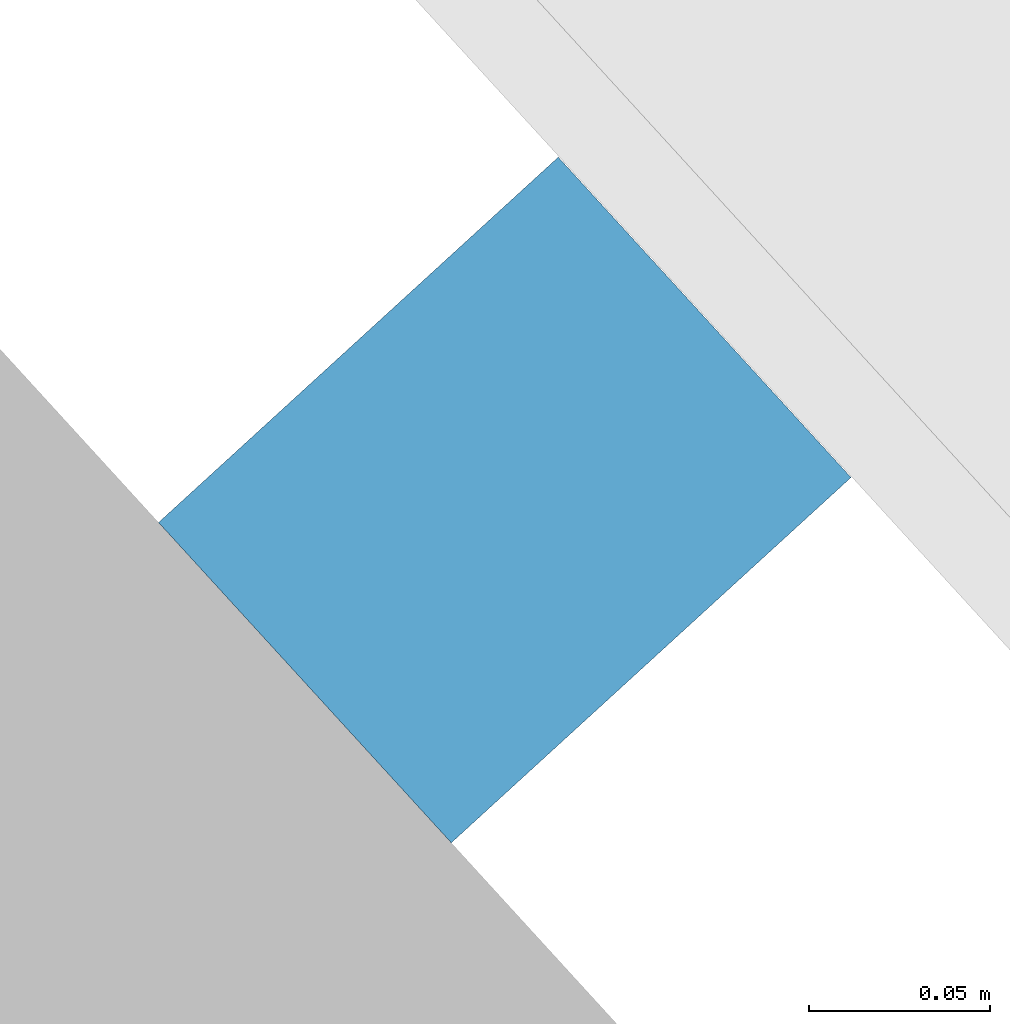
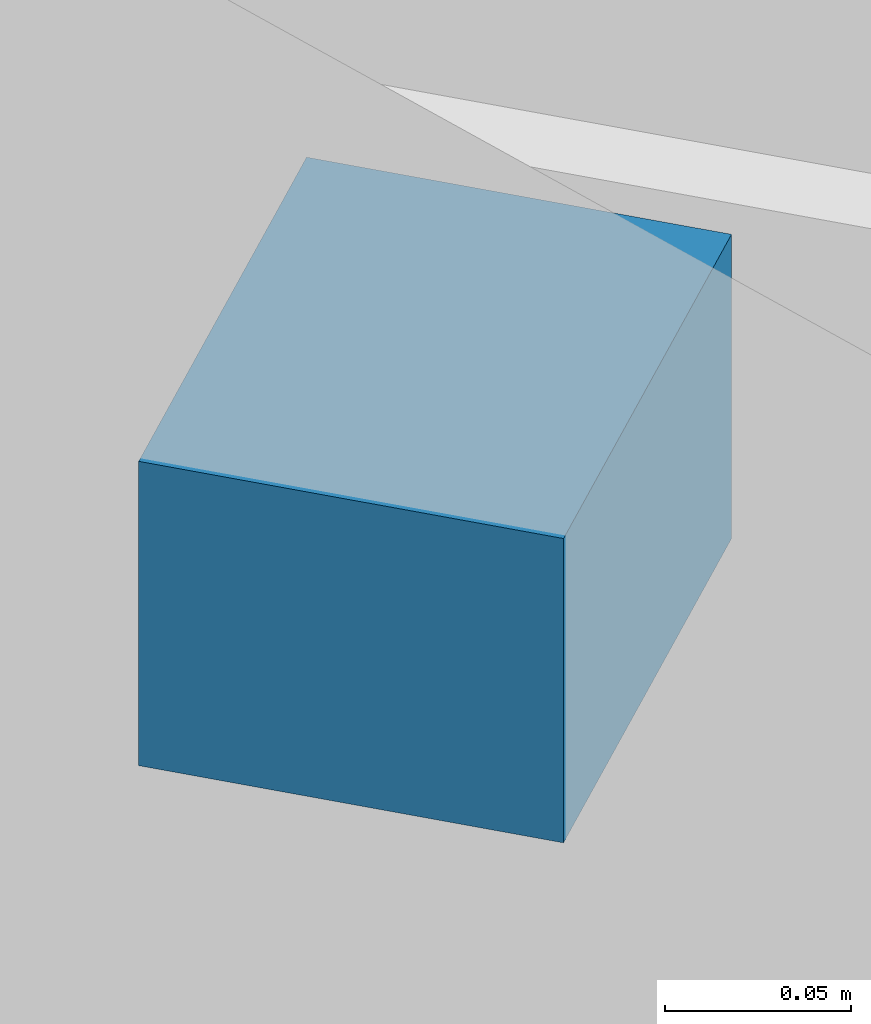
# One storey, part 27 of 38: 1 discrete accessory, 1 element without a shape of its own.
"""IFC4 building model written with IfcOpenShell, lengths in metres."""

import ifcopenshell
import ifcopenshell.guid

model = None  # the IFC model being written
_history = None  # IfcOwnerHistory: only IFC2X3 demands one
_inside = {}  # id of a spatial element -> (the spatial element, [elements in it])
_under = {}  # id of a project, library or spatial element -> (it, [spatial elements below it])
_declared = {}  # id of a project -> (the project, [libraries it declares])
_typed = {}  # id of a type object -> (the type object, [elements of that type])
_made_of = {}  # id of a material, layer set ... -> (it, [elements and type objects made of it])


def new_model(schema):
    """Start an empty IFC model of exactly this schema.

    Asked for "IFC4X3", IfcOpenShell would pick the latest addendum, in which some entities
    have other attributes; the version numbers below select the first issue.
    IFC2X3 requires an IfcOwnerHistory on every rooted entity: one is made here for all.
    """
    global model, _history
    if schema == "IFC4X3":
        model = ifcopenshell.file(schema_version=(4, 3, 0, 0))
    else:
        model = ifcopenshell.file(schema=schema)
    _inside.clear()
    _under.clear()
    _declared.clear()
    _typed.clear()
    _made_of.clear()
    _history = None
    if model.schema == "IFC2X3":
        org = make("IfcOrganization", Name="unknown")
        user = make(
            "IfcPersonAndOrganization",
            ThePerson=make("IfcPerson", FamilyName="unknown"),
            TheOrganization=org,
        )
        app = make(
            "IfcApplication",
            ApplicationDeveloper=org,
            Version="unknown",
            ApplicationFullName="unknown",
            ApplicationIdentifier="unknown",
        )
        _history = make(
            "IfcOwnerHistory",
            OwningUser=user,
            OwningApplication=app,
            ChangeAction="ADDED",
            CreationDate=0,
        )
    return model


def make(cls, **values):
    """One entity of the class cls with the attributes given. An attribute that is None is left unset."""
    return model.create_entity(
        cls, **{name: value for name, value in values.items() if value is not None}
    )


def rooted(cls, **values):
    """An entity with a GlobalId (a new one), such as an element, a storey or a relation."""
    return make(cls, GlobalId=ifcopenshell.guid.new(), OwnerHistory=_history, **values)


def si_unit(unit_type, name, prefix=None):
    """IfcSIUnit, for example si_unit("LENGTHUNIT", "METRE", prefix="MILLI")."""
    return make("IfcSIUnit", UnitType=unit_type, Prefix=prefix, Name=name)


def assignment(units):
    """IfcUnitAssignment: the units of a project."""
    return None if units is None else make("IfcUnitAssignment", Units=units)


def point(xyz):
    """IfcCartesianPoint."""
    return None if xyz is None else make("IfcCartesianPoint", Coordinates=xyz)


def direction(xyz):
    """IfcDirection."""
    return None if xyz is None else make("IfcDirection", DirectionRatios=xyz)


def frame(location, z_axis=None, x_axis=None):
    """IfcAxis2Placement3D, a coordinate frame: its origin and axes. An axis left out is left unset."""
    return make(
        "IfcAxis2Placement3D",
        Location=point(location),
        Axis=direction(z_axis),
        RefDirection=direction(x_axis),
    )


def frame_2d(location, x_axis=None):
    """IfcAxis2Placement2D, a coordinate frame in the plane: its origin and x axis."""
    return make(
        "IfcAxis2Placement2D", Location=point(location), RefDirection=direction(x_axis)
    )


def origin():
    """The frame at (0, 0, 0) with its axes left unset."""
    return frame((0.0, 0.0, 0.0))


def origin_2d():
    """The frame at (0, 0) in the plane with its x axis left unset."""
    return frame_2d((0.0, 0.0))


def place(relative_to, where):
    """IfcLocalPlacement: puts the frame where relative to a parent placement (None: the world)."""
    return make(
        "IfcLocalPlacement", PlacementRelTo=relative_to, RelativePlacement=where
    )


def context(
    kind, dimensions, precision=None, world=None, true_north=None, identifier=None
):
    """IfcGeometricRepresentationContext, for example the 3D "Model" context."""
    return make(
        "IfcGeometricRepresentationContext",
        ContextIdentifier=identifier,
        ContextType=kind,
        CoordinateSpaceDimension=dimensions,
        Precision=precision,
        WorldCoordinateSystem=world,
        TrueNorth=true_north,
    )


def subcontext(parent, identifier, kind, view, scale=None):
    """IfcGeometricRepresentationSubContext, for example "Body" below "Model"."""
    return make(
        "IfcGeometricRepresentationSubContext",
        ContextIdentifier=identifier,
        ContextType=kind,
        ParentContext=parent,
        TargetScale=scale,
        TargetView=view,
    )


def project(units=None, contexts=None):
    """IfcProject with its units and contexts."""
    return rooted(
        "IfcProject",
        Name="project",
        RepresentationContexts=contexts,
        UnitsInContext=assignment(units),
    )


def spatial(cls, under=None, at=None, **own):
    """A site, building, storey or space (cls), placed at a placement, below another one or the project."""
    s = rooted(cls, ObjectPlacement=at, **own)
    if under is not None:
        _under.setdefault(under.id(), (under, []))[1].append(s)
    return s


def profile(cls, at=None, kind="AREA", **sizes):
    """A parametric profile (cls). Its sizes go by their IFC names, for example OverallWidth=200.0."""
    return make(cls, ProfileType=kind, Position=at, **sizes)


def rectangle(**sizes):
    """IfcRectangleProfileDef."""
    return profile("IfcRectangleProfileDef", **sizes)


def extrude(swept, where, along, depth):
    """IfcExtrudedAreaSolid: the profile swept, set in the frame where, extruded along a direction by depth."""
    return make(
        "IfcExtrudedAreaSolid",
        SweptArea=swept,
        Position=where,
        ExtrudedDirection=direction(along),
        Depth=depth,
    )


def shape(context_of_items, identifier, shape_type, items):
    """IfcShapeRepresentation: the items that make up one representation, for example the "Body"."""
    return make(
        "IfcShapeRepresentation",
        ContextOfItems=context_of_items,
        RepresentationIdentifier=identifier,
        RepresentationType=shape_type,
        Items=items,
    )


def material(Name=None, Category=None):
    """IfcMaterial."""
    return make("IfcMaterial", Name=Name, Category=Category)


def layer(
    of_material, thickness, ventilated=None, Name=None, Category=None, Priority=None
):
    """IfcMaterialLayer: one layer of a wall or slab, of a material (None: an air gap)."""
    return make(
        "IfcMaterialLayer",
        Material=of_material,
        LayerThickness=thickness,
        IsVentilated=ventilated,
        Name=Name,
        Category=Category,
        Priority=Priority,
    )


def layer_set(layers, Name=None):
    """IfcMaterialLayerSet."""
    return make("IfcMaterialLayerSet", MaterialLayers=layers, LayerSetName=Name)


def made_of(thing, what):
    """Note that an element or type object is made of a material, layer set ...; save() writes the relation."""
    if what is not None:
        _made_of.setdefault(what.id(), (what, []))[1].append(thing)
    return thing


def type_object(cls, material=None, **own):
    """A type object (cls), such as IfcWallType, which elements share."""
    return made_of(rooted(cls, **own), material)


def element(
    cls,
    number,
    at=None,
    inside=None,
    cuts=None,
    type_object=None,
    material=None,
    context=None,
    identifier="Body",
    shape_type=None,
    held_by="IfcProductDefinitionShape",
    body=None,
    shapes=None,
    **own,
):
    """One element of the class cls, such as IfcWall. Its Tag is "e" and its number.

    at: its placement. inside: the storey or other place that contains it. cuts: it is an
    opening in that element (IfcRelVoidsElement). A single representation is given by context,
    identifier, shape_type and body (its items); several are given by shapes. held_by: the class
    of the entity that holds the representations. save() writes the other relations.
    """
    e = rooted(cls, Tag="e%d" % number, ObjectPlacement=at, **own)
    if body is not None:
        shapes = [shape(context, identifier, shape_type, body)]
    if shapes is not None:
        e.Representation = make(held_by, Representations=shapes)
    if inside is not None:
        _inside.setdefault(inside.id(), (inside, []))[1].append(e)
    if cuts is not None:
        rooted(
            "IfcRelVoidsElement", RelatingBuildingElement=cuts, RelatedOpeningElement=e
        )
    if type_object is not None:
        _typed.setdefault(type_object.id(), (type_object, []))[1].append(e)
    return made_of(e, material)


def aggregate(whole, parts):
    """IfcRelAggregates: a whole, such as a stair, and the parts it consists of."""
    return rooted("IfcRelAggregates", RelatingObject=whole, RelatedObjects=parts)


def save(model, path):
    """Write the relations noted so far, then the file.

    IfcRelAggregates (storeys below a building ...), IfcRelContainedInSpatialStructure (elements
    in a storey), IfcRelDefinesByType, IfcRelAssociatesMaterial and IfcRelDeclares: one each for
    every whole, place, type object, material and project.
    """
    for whole, parts in _under.values():
        aggregate(whole, parts)
    for where, things in _inside.values():
        rooted(
            "IfcRelContainedInSpatialStructure",
            RelatedElements=things,
            RelatingStructure=where,
        )
    for kind, things in _typed.values():
        rooted("IfcRelDefinesByType", RelatedObjects=things, RelatingType=kind)
    for what, things in _made_of.values():
        rooted("IfcRelAssociatesMaterial", RelatedObjects=things, RelatingMaterial=what)
    for by, libraries in _declared.values():
        rooted("IfcRelDeclares", RelatingContext=by, RelatedDefinitions=libraries)
    model.write(path)


model = new_model("IFC4")

# Units and contexts
model_context = context("Model", 3, precision=1e-05, world=origin(), true_north=direction((0.0, 1.0)))
body_context = subcontext(model_context, "Body", "Model", "MODEL_VIEW")
ifc_project = project(units=[si_unit("LENGTHUNIT", "METRE"), si_unit("AREAUNIT", "SQUARE_METRE"), si_unit("VOLUMEUNIT", "CUBIC_METRE"), si_unit("PLANEANGLEUNIT", "RADIAN"), si_unit("MASSUNIT", "GRAM", prefix="KILO")], contexts=[model_context])

# Site, building, storey
site_placement = place(None, origin())
site = spatial("IfcSite", under=ifc_project, at=site_placement, CompositionType="ELEMENT")
building_placement = place(site_placement, origin())
building = spatial("IfcBuilding", under=site, at=building_placement, Name="Dongbaek Canopy Tower", CompositionType="ELEMENT")
storey_placement = place(building_placement, frame((0.0, 0.0, 89.199951171875)))
storey = spatial("IfcBuildingStorey", under=building, at=storey_placement, Name="L18", CompositionType="ELEMENT", Elevation=89.199951171875)

# Curtain wall, discrete accessory
ifc_material_1 = material(Name="Aluminium 6063-T6 pale anodised", Category="aluminium")
ifc_layer = layer(ifc_material_1, 0.14990234375)
ifc_layer_set = layer_set([ifc_layer], Name="CW-7 louvre curtain wall")
curtain_wall_type = type_object("IfcCurtainWallType", Name="CW-7 louvre curtain wall", PredefinedType="NOTDEFINED", material=ifc_layer_set)
curtain_wall_placement = place(storey_placement, origin())
curtain_wall = element("IfcCurtainWall", 1, at=curtain_wall_placement, inside=storey, type_object=curtain_wall_type, Name="CW-7 louvre wall L18 F0", PredefinedType="NOTDEFINED")
ifc_material_2 = material(Name="Galvanised steel S355 bracket", Category="steel")
discrete_accessory_type = type_object("IfcDiscreteAccessoryType", Name="Louvre bracket BR1", PredefinedType="BRACKET", material=ifc_material_2)
discrete_accessory_placement = place(storey_placement, frame((23.12255859375, 27.34423828125, 0.6650390625), z_axis=(0.0, 0.0, 1.0), x_axis=(-0.674646668897, 0.738140821352, 0.0)))
discrete_accessory = element("IfcDiscreteAccessory", 2, at=discrete_accessory_placement, type_object=discrete_accessory_type, Name="Louvre bracket L18 F0.3.3", PredefinedType="BRACKET", context=body_context, shape_type="SweptSolid", body=[
    extrude(rectangle(XDim=0.1201171875, YDim=0.14990234375, at=origin_2d()), origin(), (0.0, 0.0, 1.0), 0.10009765625),
])
aggregate(curtain_wall, [discrete_accessory])

save(model, "model.ifc")
